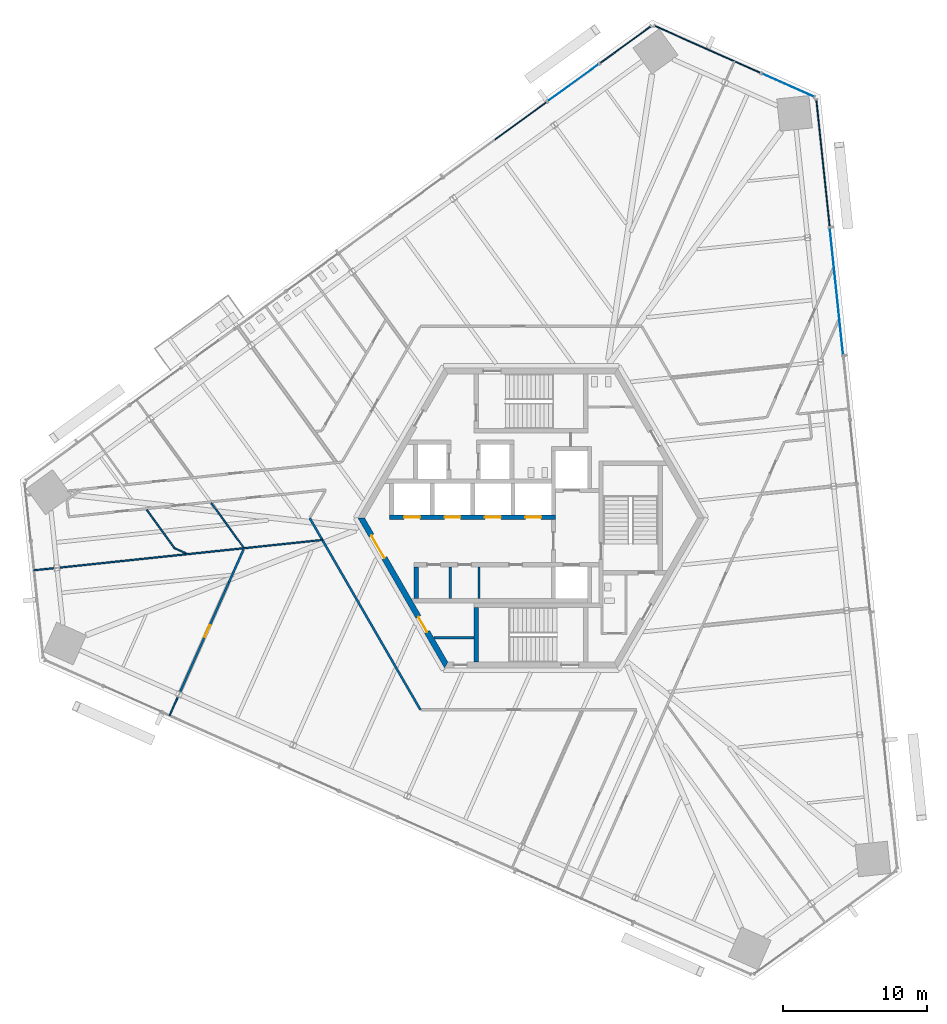
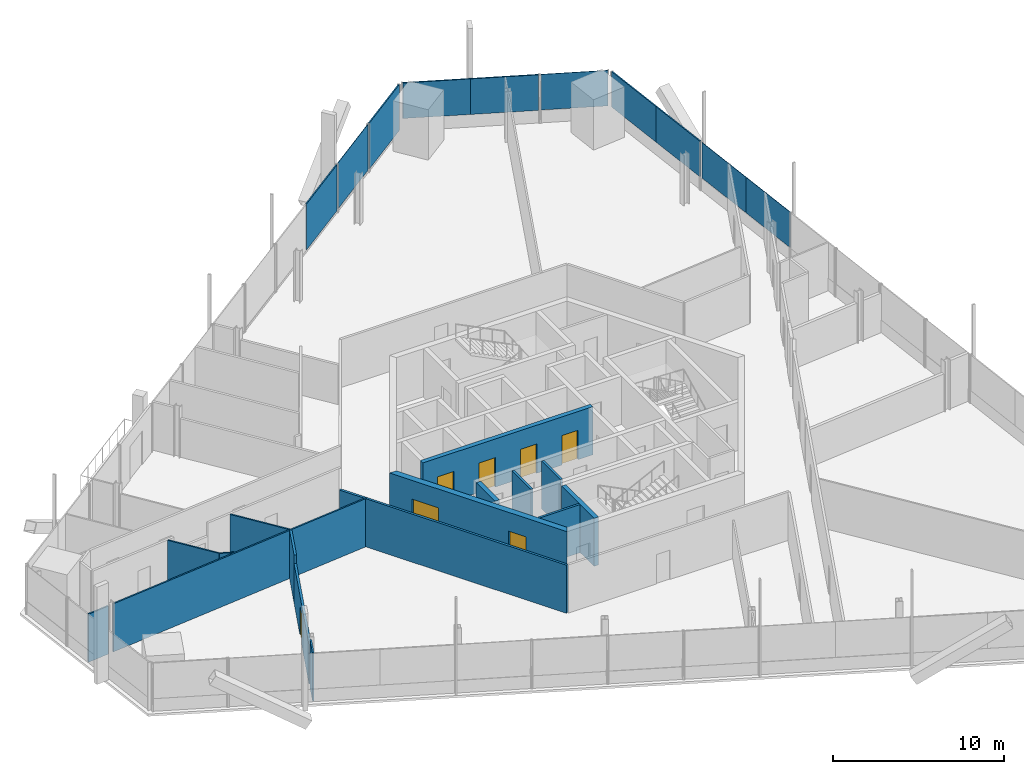
# One storey, part 10 of 21: 16 walls, 10 plates, 7 doors, 7 openings, 7 elements without a shape of their own.
"""IFC4 building model written with IfcOpenShell, lengths in metres."""

from ifc_helpers import new_model, si_unit, direction, frame, frame_2d, origin, origin_2d, place, context, subcontext, project, spatial, polyline, rectangle, outline, extrude, source, transform, mapped, material, layer, layer_set, type_object, element, fill, aggregate, save


model = new_model("IFC4")

# Units and contexts
model_context = context("Model", 3, precision=1e-05, world=origin(), true_north=direction((0.0, 1.0)))
body_context = subcontext(model_context, "Body", "Model", "MODEL_VIEW")
ifc_project = project(units=[si_unit("LENGTHUNIT", "METRE"), si_unit("AREAUNIT", "SQUARE_METRE"), si_unit("VOLUMEUNIT", "CUBIC_METRE"), si_unit("PLANEANGLEUNIT", "RADIAN"), si_unit("MASSUNIT", "GRAM", prefix="KILO")], contexts=[model_context])

# Site, building, storey
site_placement = place(None, origin())
site = spatial("IfcSite", under=ifc_project, at=site_placement, CompositionType="ELEMENT")
building_placement = place(site_placement, origin())
building = spatial("IfcBuilding", under=site, at=building_placement, Name="Triune Harvest Tower", CompositionType="ELEMENT")
storey_placement = place(building_placement, frame((0.0, 0.0, 87.300048828125)))
storey = spatial("IfcBuildingStorey", under=building, at=storey_placement, Name="L21", CompositionType="ELEMENT", Elevation=87.300048828125)

# Curtain wall, plates
ifc_material_1 = material(Name="Aluminium bronze anodised", Category="aluminium")
curtain_wall_type_1 = type_object("IfcCurtainWallType", Name="CW-7 Tower stick curtain wall with insulated spandrel infill", PredefinedType="NOTDEFINED", material=ifc_material_1)
curtain_wall_1_placement = place(storey_placement, origin())
curtain_wall_1 = element("IfcCurtainWall", 1, at=curtain_wall_1_placement, inside=storey, type_object=curtain_wall_type_1, Name="CW-7 B2-F1 L21 run 8001")
ifc_material_2 = material(Name="Insulated spandrel panel, bronze aluminium pan", Category="aluminium")
ifc_layer_1 = layer(ifc_material_2, 0.080078125)
ifc_layer_set_1 = layer_set([ifc_layer_1], Name="Insulated spandrel panel, bronze aluminium pan")
plate_type_1 = type_object("IfcPlateType", Name="SP-1 insulated spandrel panel 80", PredefinedType="CURTAIN_PANEL", material=ifc_layer_set_1)
shared_shape_1 = source(origin(), body_context, "Body", "SweptSolid", [
    extrude(rectangle(XDim=4.3955078125, YDim=0.080078125, at=origin_2d()), origin(), (0.0, 0.0, 1.0), 2.5400390625),
])
plate_1_placement = place(storey_placement, frame((20.466552734375, 22.417236328125, 0.89990234375), z_axis=(0.0, 0.0, 1.0), x_axis=(-0.104526845393, 0.994522065412, 0.0)))
plate_1 = element("IfcPlate", 2, at=plate_1_placement, type_object=plate_type_1, Name="CW-7 panel B2-F1 8001.1", PredefinedType="CURTAIN_PANEL", context=body_context, shape_type="MappedRepresentation", body=[
    mapped(shared_shape_1, transform((0.0, 0.0, 0.0), scale=1.0)),
])
plate_2_placement = place(storey_placement, frame((20.007080078125, 26.788818359375, 0.89990234375), z_axis=(0.0, 0.0, 1.0), x_axis=(-0.104526845393, 0.994522065412, 0.0)))
plate_2 = element("IfcPlate", 3, at=plate_2_placement, type_object=plate_type_1, Name="CW-7 panel B2-F1 8001.2", PredefinedType="CURTAIN_PANEL", context=body_context, shape_type="MappedRepresentation", body=[
    mapped(shared_shape_1, transform((0.0, 0.0, 0.0), scale=1.0)),
])
aggregate(curtain_wall_1, [plate_1, plate_2])

ifc_material_3 = material(Name="Aluminium bronze anodised", Category="aluminium")
curtain_wall_type_2 = type_object("IfcCurtainWallType", Name="CW-1 Tower stick curtain wall", PredefinedType="NOTDEFINED", material=ifc_material_3)
curtain_wall_2_placement = place(storey_placement, origin())
curtain_wall_2 = element("IfcCurtainWall", 4, at=curtain_wall_2_placement, inside=storey, type_object=curtain_wall_type_2, Name="CW-1 B2-F1 L21 run 7001")
ifc_material_4 = material(Name="Glass", Category="glass")
ifc_layer_2 = layer(ifc_material_4, 0.031982421875)
ifc_layer_set_2 = layer_set([ifc_layer_2], Name="Glass")
plate_type_2 = type_object("IfcPlateType", Name="GL-1 panel 32", PredefinedType="CURTAIN_PANEL", material=ifc_layer_set_2)
shared_shape_2 = source(origin(), body_context, "Body", "SweptSolid", [
    extrude(rectangle(XDim=4.3955078125, YDim=0.031982421875, at=origin_2d()), origin(), (0.0, 0.0, 1.0), 2.5400390625),
])
plate_3_placement = place(storey_placement, frame((21.401123046875, 13.525146484375, 0.89990234375), z_axis=(0.0, 0.0, 1.0), x_axis=(-0.104527591495, 0.994521986995, 0.0)))
plate_3 = element("IfcPlate", 5, at=plate_3_placement, type_object=plate_type_2, Name="CW-1 panel B2-F1 7001.1", PredefinedType="CURTAIN_PANEL", context=body_context, shape_type="MappedRepresentation", body=[
    mapped(shared_shape_2, transform((0.0, 0.0, 0.0), scale=1.0)),
])
plate_4_placement = place(storey_placement, frame((20.941650390625, 17.896484375, 0.89990234375), z_axis=(0.0, 0.0, 1.0), x_axis=(-0.104527591495, 0.994521986995, 0.0)))
plate_4 = element("IfcPlate", 6, at=plate_4_placement, type_object=plate_type_2, Name="CW-1 panel B2-F1 7001.2", PredefinedType="CURTAIN_PANEL", context=body_context, shape_type="MappedRepresentation", body=[
    mapped(shared_shape_2, transform((0.0, 0.0, 0.0), scale=1.0)),
])
aggregate(curtain_wall_2, [plate_3, plate_4])

# Curtain wall, plate
ifc_material_5 = material(Name="Aluminium bronze anodised", Category="aluminium")
curtain_wall_type_3 = type_object("IfcCurtainWallType", Name="CW-10 Balcony window wall with insulated spandrel infill", PredefinedType="NOTDEFINED", material=ifc_material_5)
curtain_wall_3_placement = place(storey_placement, origin())
curtain_wall_3 = element("IfcCurtainWall", 7, at=curtain_wall_3_placement, inside=storey, type_object=curtain_wall_type_3, Name="CW-10 B2-F3 L21 run 2001")
shared_shape_3 = source(origin(), body_context, "Body", "SweptSolid", [
    extrude(rectangle(XDim=4.3994140625, YDim=0.080078125, at=origin_2d()), origin(), (0.0, 0.0, 1.0), 3.2900390625),
])
plate_5_placement = place(storey_placement, frame((-0.720703125, 27.532470703125, 0.14990234375), z_axis=(0.0, 0.0, 1.0), x_axis=(-0.809015787345, -0.587786913623, 0.0)))
plate_5 = element("IfcPlate", 8, at=plate_5_placement, type_object=plate_type_1, Name="CW-10 panel B2-F3 2001.1", PredefinedType="CURTAIN_PANEL", context=body_context, shape_type="MappedRepresentation", body=[
    mapped(shared_shape_3, transform((0.0, 0.0, 0.0), scale=1.0)),
])
aggregate(curtain_wall_3, [plate_5])

curtain_wall_4_placement = place(storey_placement, origin())
curtain_wall_4 = element("IfcCurtainWall", 9, at=curtain_wall_4_placement, inside=storey, type_object=curtain_wall_type_2, Name="CW-1 B2-F2 L21 run 1")
shared_shape_4 = source(origin(), body_context, "Body", "SweptSolid", [
    extrude(rectangle(XDim=3.92333984375, YDim=0.031982421875, at=origin_2d()), origin(), (0.0, 0.0, 1.0), 2.5400390625),
])
plate_6_placement = place(storey_placement, frame((17.8173828125, 30.003662109375, 0.89990234375), z_axis=(0.0, 0.0, 1.0), x_axis=(-0.913547922092, 0.406731107787, 0.0)))
plate_6 = element("IfcPlate", 10, at=plate_6_placement, type_object=plate_type_2, Name="CW-1 panel B2-F2 1.1", PredefinedType="CURTAIN_PANEL", context=body_context, shape_type="MappedRepresentation", body=[
    mapped(shared_shape_4, transform((0.0, 0.0, 0.0), scale=1.0)),
])
aggregate(curtain_wall_4, [plate_6])

# Curtain wall, plates
curtain_wall_5_placement = place(storey_placement, origin())
curtain_wall_5 = element("IfcCurtainWall", 11, at=curtain_wall_5_placement, inside=storey, type_object=curtain_wall_type_1, Name="CW-7 B2-F2 L21 run 1001")
shared_shape_5 = source(origin(), body_context, "Body", "SweptSolid", [
    extrude(rectangle(XDim=3.998291015625, YDim=0.080078125, at=origin_2d()), origin(), (0.0, 0.0, 1.0), 2.5400390625),
])
plate_7_placement = place(storey_placement, frame((14.061767578125, 31.675537109375, 0.89990234375), z_axis=(0.0, 0.0, 1.0), x_axis=(-0.913546005002, 0.406735413684, 0.0)))
plate_7 = element("IfcPlate", 12, at=plate_7_placement, type_object=plate_type_1, Name="CW-7 panel B2-F2 1001.1", PredefinedType="CURTAIN_PANEL", context=body_context, shape_type="MappedRepresentation", body=[
    mapped(shared_shape_5, transform((0.0, 0.0, 0.0), scale=1.0)),
])
plate_8_placement = place(storey_placement, frame((10.4091796875, 33.302001953125, 0.89990234375), z_axis=(0.0, 0.0, 1.0), x_axis=(-0.913546005002, 0.406735413684, 0.0)))
plate_8 = element("IfcPlate", 13, at=plate_8_placement, type_object=plate_type_1, Name="CW-7 panel B2-F2 1001.2", PredefinedType="CURTAIN_PANEL", context=body_context, shape_type="MappedRepresentation", body=[
    mapped(shared_shape_5, transform((0.0, 0.0, 0.0), scale=1.0)),
])
aggregate(curtain_wall_5, [plate_7, plate_8])

# Curtain wall, plate
curtain_wall_6_placement = place(storey_placement, origin())
curtain_wall_6 = element("IfcCurtainWall", 14, at=curtain_wall_6_placement, inside=storey, type_object=curtain_wall_type_3, Name="CW-10 B2-F3 L21 run 1")
shared_shape_6 = source(origin(), body_context, "Body", "SweptSolid", [
    extrude(rectangle(XDim=4.32421875, YDim=0.080078125, at=origin_2d()), origin(), (0.0, 0.0, 1.0), 3.2900390625),
])
plate_9_placement = place(storey_placement, frame((6.54931640625, 32.814453125, 0.14990234375), z_axis=(0.0, 0.0, 1.0), x_axis=(-0.80902028217, -0.587780727004, 0.0)))
plate_9 = element("IfcPlate", 15, at=plate_9_placement, type_object=plate_type_1, Name="CW-10 panel B2-F3 1.1", PredefinedType="CURTAIN_PANEL", context=body_context, shape_type="MappedRepresentation", body=[
    mapped(shared_shape_6, transform((0.0, 0.0, 0.0), scale=1.0)),
])
aggregate(curtain_wall_6, [plate_9])

ifc_material_6 = material(Name="Aluminium bronze anodised", Category="aluminium")
curtain_wall_type_4 = type_object("IfcCurtainWallType", Name="CW-6 Balcony window wall", PredefinedType="NOTDEFINED", material=ifc_material_6)
curtain_wall_7_placement = place(storey_placement, origin())
curtain_wall_7 = element("IfcCurtainWall", 16, at=curtain_wall_7_placement, inside=storey, type_object=curtain_wall_type_4, Name="CW-6 B2-F3 L21 run 1001")
ifc_material_7 = material(Name="Glass", Category="glass")
ifc_layer_3 = layer(ifc_material_7, 0.030029296875)
ifc_layer_set_3 = layer_set([ifc_layer_3], Name="Glass")
plate_type_3 = type_object("IfcPlateType", Name="GL-6 panel 30", PredefinedType="CURTAIN_PANEL", material=ifc_layer_set_3)
shared_shape_7 = source(origin(), body_context, "Body", "SweptSolid", [
    extrude(rectangle(XDim=4.324462890625, YDim=0.030029296875, at=origin_2d()), origin(), (0.0, 0.0, 1.0), 3.2900390625),
])
plate_10_placement = place(storey_placement, frame((2.929443359375, 30.184326171875, 0.14990234375), z_axis=(0.0, 0.0, 1.0), x_axis=(-0.809010473378, -0.58779422757, 0.0)))
plate_10 = element("IfcPlate", 17, at=plate_10_placement, type_object=plate_type_3, Name="CW-6 panel B2-F3 1001.1", PredefinedType="CURTAIN_PANEL", context=body_context, shape_type="MappedRepresentation", body=[
    mapped(shared_shape_7, transform((0.0, 0.0, 0.0), scale=1.0)),
])
aggregate(curtain_wall_7, [plate_10])

# Wall, opening, door
ifc_material_8 = material(Name="Gypsum board on steel studs", Category="steel")
ifc_layer_4 = layer(ifc_material_8, 0.14990234375)
ifc_layer_set_4 = layer_set([ifc_layer_4], Name="Gypsum board on steel studs")
wall_type_1 = type_object("IfcWallType", Name="Fire Partition 150 mm", PredefinedType="PARTITIONING", material=ifc_layer_set_4)
wall_1_placement = place(storey_placement, frame((-24.329833984375, -12.0517578125, 0.0), z_axis=(0.0, 0.0, 1.0), x_axis=(0.406744870427, 0.913541794546, 0.0)))
wall_1 = element("IfcWall", 18, at=wall_1_placement, inside=storey, type_object=wall_type_1, Name="Partition L21 055", PredefinedType="PARTITIONING", context=body_context, shape_type="SweptSolid", body=[
    extrude(rectangle(XDim=8.29150390625, YDim=0.14990234375, at=frame_2d((4.145751953125, 0.0))), origin(), (0.0, 0.0, 1.0), 2.82763671875),
])
opening_1_placement = place(wall_1_placement, frame((4.1533203125, 0.0, 0.0)))
opening_1 = element("IfcOpeningElement", 19, at=opening_1_placement, cuts=wall_1, Name="Opening L21-018", PredefinedType="OPENING", context=body_context, shape_type="SweptSolid", body=[
    extrude(rectangle(XDim=0.89990234375, YDim=2.10009765625, at=frame_2d((0.449951171875, 1.050048828125))), frame((0.0, 0.0849609375, 0.0), z_axis=(0.0, -1.0, 0.0), x_axis=(1.0, 0.0, 0.0)), (0.0, 0.0, 1.0), 0.169921875),
])
ifc_material_9 = material(Name="Timber and steel door set", Category="steel")
door_type_1 = type_object("IfcDoorType", Name="Single leaf door FD30 left hand 900 x 2100", OperationType="SINGLE_SWING_LEFT", PredefinedType="DOOR", material=ifc_material_9)
door_1_placement = place(opening_1_placement, origin())
door_1 = element("IfcDoor", 20, at=door_1_placement, inside=storey, type_object=door_type_1, Name="Door L21-018 Specimen Store 21.18", OperationType="SINGLE_SWING_LEFT", OverallHeight=2.10009765625, OverallWidth=0.89990234375, PredefinedType="DOOR", context=body_context, shape_type="SweptSolid", body=[
    extrude(rectangle(XDim=0.89990234375, YDim=2.10009765625, at=frame_2d((0.449951171875, 1.050048828125))), frame((0.0, 0.02490234375, 0.0), z_axis=(0.0, -1.0, 0.0), x_axis=(1.0, 0.0, 0.0)), (0.0, 0.0, 1.0), 0.050048828125),
])
fill(opening_1, door_1)

# Walls
wall_2_placement = place(storey_placement, frame((-20.957275390625, -4.47705078125, 0.0), z_axis=(0.0, 0.0, 1.0), x_axis=(0.406728872064, 0.91354891748, 0.0)))
element("IfcWall", 21, at=wall_2_placement, inside=storey, type_object=wall_type_1, Name="Partition L21 055a", PredefinedType="PARTITIONING", context=body_context, shape_type="SweptSolid", body=[
    extrude(rectangle(XDim=2.531982421875, YDim=0.14990234375, at=frame_2d((1.26611328125, 0.0))), origin(), (0.0, 0.0, 1.0), 3.43994140625),
])
ifc_material_10 = material(Name="Gypsum board on steel studs", Category="steel")
ifc_layer_5 = layer(ifc_material_10, 0.10009765625)
ifc_layer_set_5 = layer_set([ifc_layer_5], Name="Gypsum board on steel studs")
wall_type_2 = type_object("IfcWallType", Name="Partition 100 mm", PredefinedType="PARTITIONING", material=ifc_layer_set_5)
wall_3_placement = place(storey_placement, frame((-26.64697265625, 0.57080078125, 0.0), z_axis=(0.0, 0.0, 1.0), x_axis=(0.587738427404, -0.809051012577, 0.0)))
element("IfcWall", 22, at=wall_3_placement, inside=storey, type_object=wall_type_2, Name="Partition L21 006", PredefinedType="PARTITIONING", context=body_context, shape_type="SweptSolid", body=[
    extrude(rectangle(XDim=3.2841796875, YDim=0.10009765625, at=frame_2d((1.64208984375, 0.0))), origin(), (0.0, 0.0, 1.0), 3.43994140625),
])
wall_4_placement = place(storey_placement, frame((-22.1708984375, 1.04150390625, 0.0), z_axis=(0.0, 0.0, 1.0), x_axis=(0.587786984846, -0.809015735598, 0.0)))
element("IfcWall", 23, at=wall_4_placement, inside=storey, type_object=wall_type_2, Name="Partition L21 009", PredefinedType="PARTITIONING", context=body_context, shape_type="SweptSolid", body=[
    extrude(rectangle(XDim=3.811767578125, YDim=0.10009765625, at=frame_2d((1.90576171875, 0.0))), origin(), (0.0, 0.0, 1.0), 3.43994140625),
])
wall_5_placement = place(storey_placement, frame((-24.707763671875, -2.090087890625, 0.0), z_axis=(0.0, 0.0, 1.0), x_axis=(0.91360270585, -0.406608037137, 0.0)))
element("IfcWall", 24, at=wall_5_placement, inside=storey, type_object=wall_type_2, Name="Partition L21 018", PredefinedType="PARTITIONING", context=body_context, shape_type="SweptSolid", body=[
    extrude(rectangle(XDim=0.8681640625, YDim=0.10009765625, at=frame_2d((0.43408203125, 0.0))), origin(), (0.0, 0.0, 1.0), 3.43994140625),
])

# Wall, openings, doors
ifc_material_11 = material(Name="Concrete 70 MPa", Category="concrete")
ifc_layer_6 = layer(ifc_material_11, 0.39990234375)
ifc_layer_set_6 = layer_set([ifc_layer_6], Name="Concrete 70 MPa")
wall_type_3 = type_object("IfcWallType", Name="Core wall 400", PredefinedType="SHEAR", material=ifc_layer_set_6)
shared_shape_8 = source(origin(), body_context, "Body", "SweptSolid", [
    extrude(outline(polyline([(-0.115478515625, -0.199951171875), (11.884521484375, -0.199951171875), (11.653564453125, 0.199951171875), (0.115478515625, 0.199951171875), (-0.115478515625, -0.199951171875)])), origin(), (0.0, 0.0, 1.0), 3.43994140625),
])
wall_6_placement = place(storey_placement, frame((-11.76904296875, 0.0, 0.0), z_axis=(0.0, 0.0, 1.0), x_axis=(0.499996592174, -0.866027371285, 0.0)))
wall_6 = element("IfcWall", 25, at=wall_6_placement, inside=storey, type_object=wall_type_3, Name="Hexagon 3 wall", PredefinedType="SHEAR", context=body_context, shape_type="MappedRepresentation", body=[
    mapped(shared_shape_8, transform((0.0, 0.0, 0.0), scale=1.0)),
])
opening_2_placement = place(wall_6_placement, frame((1.404541015625, 0.0, 0.0)))
opening_2 = element("IfcOpeningElement", 26, at=opening_2_placement, cuts=wall_6, Name="Opening CD-LS", PredefinedType="OPENING", context=body_context, shape_type="SweptSolid", body=[
    extrude(rectangle(XDim=1.800048828125, YDim=2.10009765625, at=frame_2d((0.89990234375, 1.050048828125))), frame((0.0, 0.2099609375, 0.0), z_axis=(0.0, -1.0, 0.0), x_axis=(1.0, 0.0, 0.0)), (0.0, 0.0, 1.0), 0.419921875),
])
opening_3_placement = place(wall_6_placement, frame((7.91455078125, 0.0, 0.0)))
opening_3 = element("IfcOpeningElement", 27, at=opening_3_placement, cuts=wall_6, Name="Opening CD-SWP", PredefinedType="OPENING", context=body_context, shape_type="SweptSolid", body=[
    extrude(rectangle(XDim=1.199951171875, YDim=2.10009765625, at=frame_2d((0.60009765625, 1.050048828125))), frame((0.0, 0.2099609375, 0.0), z_axis=(0.0, -1.0, 0.0), x_axis=(1.0, 0.0, 0.0)), (0.0, 0.0, 1.0), 0.419921875),
])
ifc_material_12 = material(Name="Steel S235", Category="steel")
door_type_2 = type_object("IfcDoorType", Name="Lobby door 1800 FD120", OperationType="DOUBLE_DOOR_DOUBLE_SWING", PredefinedType="DOOR", material=ifc_material_12)
door_2_placement = place(opening_2_placement, frame((1.800048828125, 0.0, 0.0), z_axis=(0.0, 0.0, 1.0), x_axis=(-1.0, 0.0, 0.0)))
door_2 = element("IfcDoor", 28, at=door_2_placement, inside=storey, type_object=door_type_2, Name="Door CD-LS", OperationType="DOUBLE_DOOR_DOUBLE_SWING", OverallHeight=2.10009765625, OverallWidth=1.800048828125, PredefinedType="DOOR", context=body_context, shape_type="SweptSolid", body=[
    extrude(rectangle(XDim=1.800048828125, YDim=2.10009765625, at=frame_2d((0.89990234375, 1.050048828125))), frame((0.0, 0.02490234375, 0.0), z_axis=(0.0, -1.0, 0.0), x_axis=(1.0, 0.0, 0.0)), (0.0, 0.0, 1.0), 0.050048828125),
])
fill(opening_2, door_2)
ifc_material_13 = material(Name="Steel S235", Category="steel")
door_type_3 = type_object("IfcDoorType", Name="Service door 1200 FD120", OperationType="SINGLE_SWING_LEFT", PredefinedType="DOOR", material=ifc_material_13)
door_3_placement = place(opening_3_placement, frame((1.199951171875, 0.0, 0.0), z_axis=(0.0, 0.0, 1.0), x_axis=(-1.0, 0.0, 0.0)))
door_3 = element("IfcDoor", 29, at=door_3_placement, inside=storey, type_object=door_type_3, Name="Door CD-SWP", OperationType="SINGLE_SWING_RIGHT", OverallHeight=2.10009765625, OverallWidth=1.199951171875, PredefinedType="DOOR", context=body_context, shape_type="SweptSolid", body=[
    extrude(rectangle(XDim=1.199951171875, YDim=2.10009765625, at=frame_2d((0.60009765625, 1.050048828125))), frame((0.0, 0.02490234375, 0.0), z_axis=(0.0, -1.0, 0.0), x_axis=(1.0, 0.0, 0.0)), (0.0, 0.0, 1.0), 0.050048828125),
])
fill(opening_3, door_3)

ifc_material_14 = material(Name="Concrete 70 MPa", Category="concrete")
ifc_layer_7 = layer(ifc_material_14, 0.300048828125)
ifc_layer_set_7 = layer_set([ifc_layer_7], Name="Concrete 70 MPa")
wall_type_4 = type_object("IfcWallType", Name="Core wall 300", PredefinedType="SHEAR", material=ifc_layer_set_7)
shared_shape_9 = source(origin(), body_context, "Body", "SweptSolid", [
    extrude(rectangle(XDim=11.5, YDim=0.300048828125, at=frame_2d((5.75, 0.0))), origin(), (0.0, 0.0, 1.0), 3.43994140625),
])
wall_7_placement = place(storey_placement, frame((-9.800048828125, 0.06005859375, 0.0), z_axis=(0.0, 0.0, 1.0), x_axis=(1.0, 0.0, 0.0)))
wall_7 = element("IfcWall", 30, at=wall_7_placement, inside=storey, type_object=wall_type_4, Name="North front wall", PredefinedType="SHEAR", context=body_context, shape_type="MappedRepresentation", body=[
    mapped(shared_shape_9, transform((0.0, 0.0, 0.0), scale=1.0)),
])
opening_4_placement = place(wall_7_placement, frame((1.0, 0.0, 0.0)))
opening_4 = element("IfcOpeningElement", 31, at=opening_4_placement, cuts=wall_7, Name="Opening LD-LR1-21", PredefinedType="OPENING", context=body_context, shape_type="SweptSolid", body=[
    extrude(rectangle(XDim=1.10009765625, YDim=2.10009765625, at=frame_2d((0.550048828125, 1.050048828125))), frame((0.0, 0.16015625, 0.0), z_axis=(0.0, -1.0, 0.0), x_axis=(1.0, 0.0, 0.0)), (0.0, 0.0, 1.0), 0.320068359375),
])
opening_5_placement = place(wall_7_placement, frame((3.800048828125, 0.0, 0.0)))
opening_5 = element("IfcOpeningElement", 32, at=opening_5_placement, cuts=wall_7, Name="Opening LD-LR2-21", PredefinedType="OPENING", context=body_context, shape_type="SweptSolid", body=[
    extrude(rectangle(XDim=1.10009765625, YDim=2.10009765625, at=frame_2d((0.550048828125, 1.050048828125))), frame((0.0, 0.16015625, 0.0), z_axis=(0.0, -1.0, 0.0), x_axis=(1.0, 0.0, 0.0)), (0.0, 0.0, 1.0), 0.320068359375),
])
opening_6_placement = place(wall_7_placement, frame((6.60009765625, 0.0, 0.0)))
opening_6 = element("IfcOpeningElement", 33, at=opening_6_placement, cuts=wall_7, Name="Opening LD-LR3-21", PredefinedType="OPENING", context=body_context, shape_type="SweptSolid", body=[
    extrude(rectangle(XDim=1.10009765625, YDim=2.10009765625, at=frame_2d((0.550048828125, 1.050048828125))), frame((0.0, 0.16015625, 0.0), z_axis=(0.0, -1.0, 0.0), x_axis=(1.0, 0.0, 0.0)), (0.0, 0.0, 1.0), 0.320068359375),
])
opening_7_placement = place(wall_7_placement, frame((9.39990234375, 0.0, 0.0)))
opening_7 = element("IfcOpeningElement", 34, at=opening_7_placement, cuts=wall_7, Name="Opening LD-LR4-21", PredefinedType="OPENING", context=body_context, shape_type="SweptSolid", body=[
    extrude(rectangle(XDim=1.10009765625, YDim=2.10009765625, at=frame_2d((0.550048828125, 1.050048828125))), frame((0.0, 0.16015625, 0.0), z_axis=(0.0, -1.0, 0.0), x_axis=(1.0, 0.0, 0.0)), (0.0, 0.0, 1.0), 0.320068359375),
])
ifc_material_15 = material(Name="Stainless steel AISI 304", Category="steel")
door_type_4 = type_object("IfcDoorType", Name="Landing door 1100 x 2100", OperationType="DOUBLE_DOOR_SLIDING", PredefinedType="DOOR", material=ifc_material_15)
door_4_placement = place(opening_4_placement, origin())
door_4 = element("IfcDoor", 35, at=door_4_placement, inside=storey, type_object=door_type_4, Name="Door LD-LR1-21", OperationType="DOUBLE_DOOR_SLIDING", OverallHeight=2.10009765625, OverallWidth=1.10009765625, PredefinedType="DOOR", context=body_context, shape_type="SweptSolid", body=[
    extrude(rectangle(XDim=1.10009765625, YDim=2.10009765625, at=frame_2d((0.550048828125, 1.050048828125))), frame((0.0, 0.02490234375, 0.0), z_axis=(0.0, -1.0, 0.0), x_axis=(1.0, 0.0, 0.0)), (0.0, 0.0, 1.0), 0.050048828125),
])
fill(opening_4, door_4)
door_5_placement = place(opening_5_placement, origin())
door_5 = element("IfcDoor", 36, at=door_5_placement, inside=storey, type_object=door_type_4, Name="Door LD-LR2-21", OperationType="DOUBLE_DOOR_SLIDING", OverallHeight=2.10009765625, OverallWidth=1.10009765625, PredefinedType="DOOR", context=body_context, shape_type="SweptSolid", body=[
    extrude(rectangle(XDim=1.10009765625, YDim=2.10009765625, at=frame_2d((0.550048828125, 1.050048828125))), frame((0.0, 0.02490234375, 0.0), z_axis=(0.0, -1.0, 0.0), x_axis=(1.0, 0.0, 0.0)), (0.0, 0.0, 1.0), 0.050048828125),
])
fill(opening_5, door_5)
door_6_placement = place(opening_6_placement, origin())
door_6 = element("IfcDoor", 37, at=door_6_placement, inside=storey, type_object=door_type_4, Name="Door LD-LR3-21", OperationType="DOUBLE_DOOR_SLIDING", OverallHeight=2.10009765625, OverallWidth=1.10009765625, PredefinedType="DOOR", context=body_context, shape_type="SweptSolid", body=[
    extrude(rectangle(XDim=1.10009765625, YDim=2.10009765625, at=frame_2d((0.550048828125, 1.050048828125))), frame((0.0, 0.02490234375, 0.0), z_axis=(0.0, -1.0, 0.0), x_axis=(1.0, 0.0, 0.0)), (0.0, 0.0, 1.0), 0.050048828125),
])
fill(opening_6, door_6)
door_7_placement = place(opening_7_placement, origin())
door_7 = element("IfcDoor", 38, at=door_7_placement, inside=storey, type_object=door_type_4, Name="Door LD-LR4-21", OperationType="DOUBLE_DOOR_SLIDING", OverallHeight=2.10009765625, OverallWidth=1.10009765625, PredefinedType="DOOR", context=body_context, shape_type="SweptSolid", body=[
    extrude(rectangle(XDim=1.10009765625, YDim=2.10009765625, at=frame_2d((0.550048828125, 1.050048828125))), frame((0.0, 0.02490234375, 0.0), z_axis=(0.0, -1.0, 0.0), x_axis=(1.0, 0.0, 0.0)), (0.0, 0.0, 1.0), 0.050048828125),
])
fill(opening_7, door_7)

# Walls
shared_shape_10 = source(origin(), body_context, "Body", "SweptSolid", [
    extrude(rectangle(XDim=2.2001953125, YDim=0.300048828125, at=frame_2d((1.10009765625, 0.0))), origin(), (0.0, 0.0, 1.0), 3.43994140625),
])
wall_8_placement = place(storey_placement, frame((-7.949951171875, -5.590087890625, 0.0), z_axis=(0.0, 0.0, 1.0), x_axis=(0.0, 1.0, 0.0)))
element("IfcWall", 39, at=wall_8_placement, inside=storey, type_object=wall_type_4, Name="South end west wall", PredefinedType="SHEAR", context=body_context, shape_type="MappedRepresentation", body=[
    mapped(shared_shape_10, transform((0.0, 0.0, 0.0), scale=1.0)),
])
shared_shape_11 = source(origin(), body_context, "Body", "SweptSolid", [
    extrude(outline(polyline([(3.800048828125, -0.14990234375), (-0.00439453125, -0.14990234375), (-0.00439453125, 0.14990234375), (3.800048828125, 0.14990234375), (3.800048828125, -0.14990234375)])), origin(), (0.0, 0.0, 1.0), 3.43994140625),
])
wall_9_placement = place(storey_placement, frame((-3.800048828125, -9.989990234375, 0.0), z_axis=(0.0, 0.0, 1.0), x_axis=(0.0, 1.0, 0.0)))
element("IfcWall", 40, at=wall_9_placement, inside=storey, type_object=wall_type_4, Name="Stair s west wall", PredefinedType="SHEAR", context=body_context, shape_type="MappedRepresentation", body=[
    mapped(shared_shape_11, transform((0.0, 0.0, 0.0), scale=1.0)),
])
ifc_material_16 = material(Name="Concrete masonry unit", Category="masonry")
ifc_layer_8 = layer(ifc_material_16, 0.14990234375)
ifc_layer_set_8 = layer_set([ifc_layer_8], Name="Concrete masonry unit")
wall_type_5 = type_object("IfcWallType", Name="Block partition 150", PredefinedType="PARTITIONING", material=ifc_layer_set_8)
shared_shape_12 = source(origin(), body_context, "Body", "SweptSolid", [
    extrude(rectangle(XDim=2.2001953125, YDim=0.14990234375, at=frame_2d((1.10009765625, 0.0))), origin(), (0.0, 0.0, 1.0), 3.43994140625),
])
for number, where, z_axis, x_axis, name in (
    (41, (-5.60009765625, -5.590087890625, 0.0), (0.0, 0.0, 1.0), (0.0, 1.0, 0.0), "Row s part 1 wall"),
    (42, (-3.60009765625, -5.590087890625, 0.0), (0.0, 0.0, 1.0), (0.0, 1.0, 0.0), "Row s part 2 wall"),
):
    element("IfcWall", number, at=place(storey_placement, frame(where, z_axis=z_axis, x_axis=x_axis)), inside=storey, type_object=wall_type_5, Name=name, PredefinedType="PARTITIONING", context=body_context, shape_type="MappedRepresentation", body=[
        mapped(shared_shape_12, transform((0.0, 0.0, 0.0), scale=1.0)),
    ])
shared_shape_13 = source(origin(), body_context, "Body", "SweptSolid", [
    extrude(rectangle(XDim=2.777099609375, YDim=0.14990234375, at=frame_2d((1.388671875, 0.0))), origin(), (0.0, 0.0, 1.0), 3.43994140625),
])
wall_10_placement = place(storey_placement, frame((-6.72705078125, -8.300048828125, 0.0), z_axis=(0.0, 0.0, 1.0), x_axis=(1.0, 0.0, 0.0)))
element("IfcWall", 43, at=wall_10_placement, inside=storey, type_object=wall_type_5, Name="Sw part wall", PredefinedType="PARTITIONING", context=body_context, shape_type="MappedRepresentation", body=[
    mapped(shared_shape_13, transform((0.0, 0.0, 0.0), scale=1.0)),
])
shared_shape_14 = source(origin(), body_context, "Body", "SweptSolid", [
    extrude(rectangle(XDim=1.418212890625, YDim=0.10009765625, at=frame_2d((0.708984375, 0.0))), origin(), (0.0, 0.0, 1.0), 3.43994140625),
])
wall_11_placement = place(storey_placement, frame((-25.05859375, -13.68896484375, 0.0), z_axis=(0.0, 0.0, 1.0), x_axis=(0.40676126154, 0.913534496399, 0.0)))
element("IfcWall", 44, at=wall_11_placement, inside=storey, type_object=wall_type_2, Name="Partition L21 054", PredefinedType="PARTITIONING", context=body_context, shape_type="MappedRepresentation", body=[
    mapped(shared_shape_14, transform((0.0, 0.0, 0.0), scale=1.0)),
])
shared_shape_15 = source(origin(), body_context, "Body", "SweptSolid", [
    extrude(rectangle(XDim=1.418701171875, YDim=0.10009765625, at=frame_2d((0.70947265625, 0.0))), origin(), (0.0, 0.0, 1.0), 3.43994140625),
])
wall_12_placement = place(storey_placement, frame((-34.466796875, -3.62353515625, 0.0), z_axis=(0.0, 0.0, 1.0), x_axis=(0.994511109239, 0.104631035546, 0.0)))
element("IfcWall", 45, at=wall_12_placement, inside=storey, type_object=wall_type_2, Name="Partition L21 023", PredefinedType="PARTITIONING", context=body_context, shape_type="MappedRepresentation", body=[
    mapped(shared_shape_15, transform((0.0, 0.0, 0.0), scale=1.0)),
])
shared_shape_16 = source(origin(), body_context, "Body", "SweptSolid", [
    extrude(rectangle(XDim=15.3486328125, YDim=0.14990234375, at=frame_2d((7.67431640625, 0.0))), origin(), (0.0, 0.0, 1.0), 3.43994140625),
])
wall_13_placement = place(storey_placement, frame((-15.3486328125, 0.0, 0.0), z_axis=(0.0, 0.0, 1.0), x_axis=(0.500001963573, -0.866024270112, 0.0)))
element("IfcWall", 46, at=wall_13_placement, inside=storey, type_object=wall_type_1, Name="Partition L21 003", PredefinedType="PARTITIONING", context=body_context, shape_type="MappedRepresentation", body=[
    mapped(shared_shape_16, transform((0.0, 0.0, 0.0), scale=1.0)),
])
shared_shape_17 = source(origin(), body_context, "Body", "SweptSolid", [
    extrude(rectangle(XDim=18.314208984375, YDim=0.10009765625, at=frame_2d((9.1572265625, 0.0))), origin(), (0.0, 0.0, 1.0), 3.43994140625),
])
wall_14_placement = place(storey_placement, frame((-32.684326171875, -3.436279296875, 0.0), z_axis=(0.0, 0.0, 1.0), x_axis=(0.994519395613, 0.104552244113, 0.0)))
element("IfcWall", 47, at=wall_14_placement, inside=storey, type_object=wall_type_2, Name="Partition L21 024", PredefinedType="PARTITIONING", context=body_context, shape_type="MappedRepresentation", body=[
    mapped(shared_shape_17, transform((0.0, 0.0, 0.0), scale=1.0)),
])

save(model, "model.ifc")
